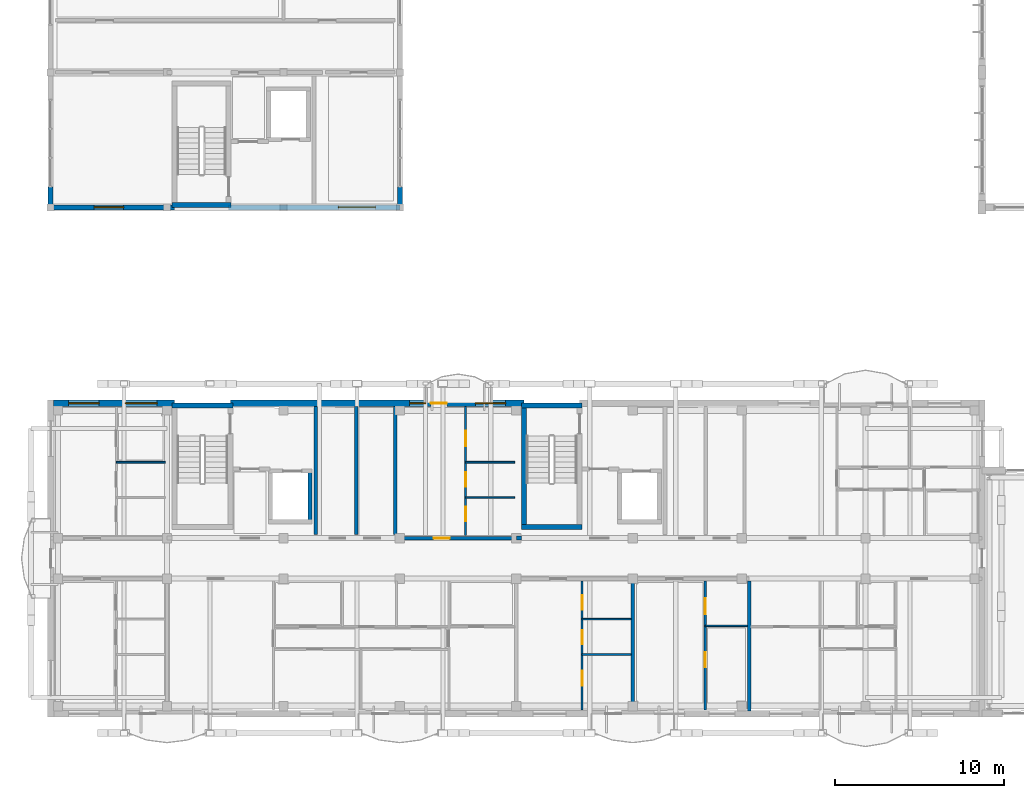
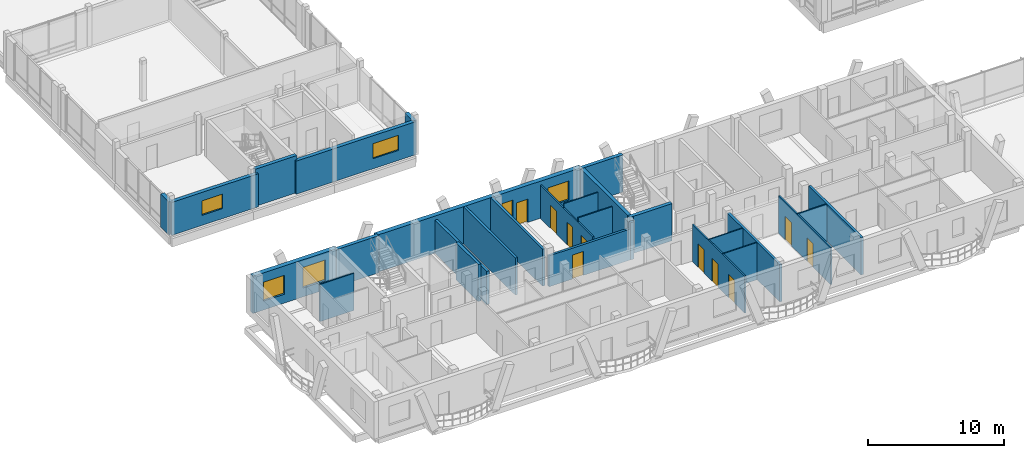
# One storey, part 143 of 189: 28 walls, 10 doors, 6 windows, 16 openings.
"""IFC4 building model written with IfcOpenShell, lengths in metres."""

from ifc_helpers import new_model, si_unit, direction, frame, frame_2d, origin, origin_with_axes, place, context, subcontext, project, spatial, rectangle, extrude, material, layer, layer_set, type_object, element, fill, save


model = new_model("IFC4")

# Units and contexts
model_context = context("Model", 3, precision=1e-05, world=origin(), true_north=direction((0.0, 1.0)))
body_context = subcontext(model_context, "Body", "Model", "MODEL_VIEW")
ifc_project = project(units=[si_unit("LENGTHUNIT", "METRE"), si_unit("AREAUNIT", "SQUARE_METRE"), si_unit("VOLUMEUNIT", "CUBIC_METRE"), si_unit("PLANEANGLEUNIT", "RADIAN"), si_unit("MASSUNIT", "GRAM", prefix="KILO")], contexts=[model_context])

# Site, building, storey
site_placement = place(None, origin())
site = spatial("IfcSite", under=ifc_project, at=site_placement, CompositionType="ELEMENT")
building_placement = place(site_placement, origin())
building = spatial("IfcBuilding", under=site, at=building_placement, Name="Zavelmont Quarter", CompositionType="ELEMENT")
storey_placement = place(building_placement, frame((0.0, 0.0, 4.39990234375)))
storey = spatial("IfcBuildingStorey", under=building, at=storey_placement, Name="L01", CompositionType="ELEMENT", Elevation=4.39990234375)

# Wall, openings, windows
ifc_material_1 = material(Name="Natural Belgian limestone", Category="masonry")
ifc_layer_1 = layer(ifc_material_1, 0.3798828125)
ifc_layer_set_1 = layer_set([ifc_layer_1], Name="Natural Belgian limestone")
wall_type_1 = type_object("IfcWallType", Name="EW01", PredefinedType="STANDARD", material=ifc_layer_set_1)
wall_1_placement = place(storey_placement, frame((0.179931640625, 18.39990234375, 0.0), z_axis=(0.0, 0.0, 1.0), x_axis=(1.0, 0.0, 0.0)))
wall_1 = element("IfcWall", 1, at=wall_1_placement, inside=storey, type_object=wall_type_1, Name="L01 exterior limestone wall EW01", PredefinedType="STANDARD", context=body_context, shape_type="SweptSolid", body=[
    extrude(rectangle(XDim=7.170166015625, YDim=0.3798828125, at=frame_2d((3.5849609375, 0.0))), origin(), (0.0, 0.0, 1.0), 3.330078125),
])
opening_1_placement = place(wall_1_placement, frame((0.889892578125, 0.0, 0.800048828125)))
opening_1 = element("IfcOpeningElement", 2, at=opening_1_placement, cuts=wall_1, Name="Opening WN02", PredefinedType="OPENING", context=body_context, shape_type="SweptSolid", body=[
    extrude(rectangle(XDim=1.800048828125, YDim=1.699951171875, at=frame_2d((0.89990234375, 0.85009765625))), frame((0.0, 0.201904296875, 0.0), z_axis=(0.0, -1.0, 0.0), x_axis=(1.0, 0.0, 0.0)), (0.0, 0.0, 1.0), 0.40380859375),
])
opening_2_placement = place(wall_1_placement, frame((4.239990234375, 0.0, 0.800048828125)))
opening_2 = element("IfcOpeningElement", 3, at=opening_2_placement, cuts=wall_1, Name="Opening WN20", PredefinedType="OPENING", context=body_context, shape_type="SweptSolid", body=[
    extrude(rectangle(XDim=1.89990234375, YDim=1.85009765625, at=frame_2d((0.949951171875, 0.925048828125))), frame((0.0, 0.201904296875, 0.0), z_axis=(0.0, -1.0, 0.0), x_axis=(1.0, 0.0, 0.0)), (0.0, 0.0, 1.0), 0.40380859375),
])
ifc_material_2 = material(Name="Double low-E insulated glazing in thermally broken aluminium frame", Category="aluminium")
window_type_1 = type_object("IfcWindowType", Name="WN02", PartitioningType="SINGLE_PANEL", PredefinedType="WINDOW", material=ifc_material_2)
window_1_placement = place(opening_1_placement, origin_with_axes())
window_1 = element("IfcWindow", 4, at=window_1_placement, inside=storey, type_object=window_type_1, Name="L01 window WN02", OverallHeight=1.699951171875, OverallWidth=1.800048828125, PartitioningType="SINGLE_PANEL", PredefinedType="WINDOW", context=body_context, shape_type="SweptSolid", body=[
    extrude(rectangle(XDim=1.800048828125, YDim=1.699951171875, at=frame_2d((0.89990234375, 0.85009765625))), frame((0.0, 0.030029296875, 0.0), z_axis=(0.0, -1.0, 0.0), x_axis=(1.0, 0.0, 0.0)), (0.0, 0.0, 1.0), 0.06005859375),
])
fill(opening_1, window_1)
window_type_2 = type_object("IfcWindowType", Name="WN20", PartitioningType="SINGLE_PANEL", PredefinedType="WINDOW", material=ifc_material_2)
window_2_placement = place(opening_2_placement, origin_with_axes())
window_2 = element("IfcWindow", 5, at=window_2_placement, inside=storey, type_object=window_type_2, Name="L01 window WN20", OverallHeight=1.85009765625, OverallWidth=1.89990234375, PartitioningType="SINGLE_PANEL", PredefinedType="WINDOW", context=body_context, shape_type="SweptSolid", body=[
    extrude(rectangle(XDim=1.89990234375, YDim=1.85009765625, at=frame_2d((0.949951171875, 0.925048828125))), frame((0.0, 0.030029296875, 0.0), z_axis=(0.0, -1.0, 0.0), x_axis=(1.0, 0.0, 0.0)), (0.0, 0.0, 1.0), 0.06005859375),
])
fill(opening_2, window_2)

# Wall, openings, door, windows
wall_2_placement = place(storey_placement, frame((10.64990234375, 18.39990234375, 0.0), z_axis=(0.0, 0.0, 1.0), x_axis=(1.0, 0.0, 0.0)))
wall_2 = element("IfcWall", 6, at=wall_2_placement, inside=storey, type_object=wall_type_1, Name="L01 exterior limestone wall EW01", PredefinedType="STANDARD", context=body_context, shape_type="SweptSolid", body=[
    extrude(rectangle(XDim=17.400146484375, YDim=0.3798828125, at=frame_2d((8.7001953125, 0.0))), origin(), (0.0, 0.0, 1.0), 3.330078125),
])
opening_3_placement = place(wall_2_placement, frame((11.883544921875, 0.0, 0.0)))
opening_3 = element("IfcOpeningElement", 7, at=opening_3_placement, cuts=wall_2, Name="Opening DR04", PredefinedType="OPENING", context=body_context, shape_type="SweptSolid", body=[
    extrude(rectangle(XDim=0.949951171875, YDim=2.10009765625, at=frame_2d((0.47509765625, 1.050048828125))), frame((0.0, 0.201904296875, 0.0), z_axis=(0.0, -1.0, 0.0), x_axis=(1.0, 0.0, 0.0)), (0.0, 0.0, 1.0), 0.40380859375),
])
opening_4_placement = place(wall_2_placement, frame((10.6201171875, 0.0, 0.89990234375)))
opening_4 = element("IfcOpeningElement", 8, at=opening_4_placement, cuts=wall_2, Name="Opening WN04", PredefinedType="OPENING", context=body_context, shape_type="SweptSolid", body=[
    extrude(rectangle(XDim=0.949951171875, YDim=1.550048828125, at=frame_2d((0.47509765625, 0.77490234375))), frame((0.0, 0.201904296875, 0.0), z_axis=(0.0, -1.0, 0.0), x_axis=(1.0, 0.0, 0.0)), (0.0, 0.0, 1.0), 0.40380859375),
])
opening_5_placement = place(wall_2_placement, frame((14.52001953125, 0.0, 0.800048828125)))
opening_5 = element("IfcOpeningElement", 9, at=opening_5_placement, cuts=wall_2, Name="Opening WN02", PredefinedType="OPENING", context=body_context, shape_type="SweptSolid", body=[
    extrude(rectangle(XDim=1.800048828125, YDim=1.699951171875, at=frame_2d((0.89990234375, 0.85009765625))), frame((0.0, 0.201904296875, 0.0), z_axis=(0.0, -1.0, 0.0), x_axis=(1.0, 0.0, 0.0)), (0.0, 0.0, 1.0), 0.40380859375),
])
ifc_material_3 = material(Name="Thermally broken aluminium and double safety glass", Category="aluminium")
door_type_1 = type_object("IfcDoorType", Name="DR04", OperationType="NOTDEFINED", PredefinedType="DOOR", material=ifc_material_3)
door_1_placement = place(opening_3_placement, frame((0.949951171875, 0.0, 0.0), z_axis=(0.0, 0.0, 1.0), x_axis=(-1.0, 0.0, 0.0)))
door_1 = element("IfcDoor", 10, at=door_1_placement, inside=storey, type_object=door_type_1, Name="Block A L01 glazed balcony door", OperationType="SINGLE_SWING_LEFT", OverallHeight=2.10009765625, OverallWidth=0.949951171875, PredefinedType="DOOR", context=body_context, shape_type="SweptSolid", body=[
    extrude(rectangle(XDim=0.949951171875, YDim=2.10009765625, at=frame_2d((0.47509765625, 1.050048828125))), frame((0.0, 0.02490234375, 0.0), z_axis=(0.0, -1.0, 0.0), x_axis=(1.0, 0.0, 0.0)), (0.0, 0.0, 1.0), 0.050048828125),
])
fill(opening_3, door_1)
window_3_placement = place(opening_5_placement, origin_with_axes())
window_3 = element("IfcWindow", 11, at=window_3_placement, inside=storey, type_object=window_type_1, Name="L01 window WN02", OverallHeight=1.699951171875, OverallWidth=1.800048828125, PartitioningType="SINGLE_PANEL", PredefinedType="WINDOW", context=body_context, shape_type="SweptSolid", body=[
    extrude(rectangle(XDim=1.800048828125, YDim=1.699951171875, at=frame_2d((0.89990234375, 0.85009765625))), frame((0.0, 0.030029296875, 0.0), z_axis=(0.0, -1.0, 0.0), x_axis=(1.0, 0.0, 0.0)), (0.0, 0.0, 1.0), 0.06005859375),
])
fill(opening_5, window_3)
window_type_3 = type_object("IfcWindowType", Name="WN04", PartitioningType="SINGLE_PANEL", PredefinedType="WINDOW", material=ifc_material_2)
window_4_placement = place(opening_4_placement, origin_with_axes())
window_4 = element("IfcWindow", 12, at=window_4_placement, inside=storey, type_object=window_type_3, Name="L01 window WN04", OverallHeight=1.550048828125, OverallWidth=0.949951171875, PartitioningType="SINGLE_PANEL", PredefinedType="WINDOW", context=body_context, shape_type="SweptSolid", body=[
    extrude(rectangle(XDim=0.949951171875, YDim=1.550048828125, at=frame_2d((0.47509765625, 0.77490234375))), frame((0.0, 0.030029296875, 0.0), z_axis=(0.0, -1.0, 0.0), x_axis=(1.0, 0.0, 0.0)), (0.0, 0.0, 1.0), 0.06005859375),
])
fill(opening_4, window_4)

# Walls
ifc_layer_2 = layer(ifc_material_1, 0.31005859375)
ifc_layer_set_2 = layer_set([ifc_layer_2], Name="Natural Belgian limestone")
wall_type_2 = type_object("IfcWallType", Name="EW06", PredefinedType="STANDARD", material=ifc_layer_set_2)
for number, where, z_axis, x_axis, name in (
    (13, (0.0, 30.0, 0.0), (0.0, 0.0, 1.0), (0.0, 1.0, 0.0), "L01 exterior limestone wall EW06"),
    (14, (20.699951171875, 30.0, 0.0), (0.0, 0.0, 1.0), (0.0, 1.0, 0.0), "L01 exterior limestone wall EW06"),
):
    element("IfcWall", number, at=place(storey_placement, frame(where, z_axis=z_axis, x_axis=x_axis)), inside=storey, type_object=wall_type_2, Name=name, PredefinedType="STANDARD", context=body_context, shape_type="SweptSolid", body=[
        extrude(rectangle(XDim=1.199951171875, YDim=0.31005859375, at=frame_2d((0.60009765625, 0.0))), origin(), (0.0, 0.0, 1.0), 2.960205078125),
    ])

# Wall, opening, window
wall_3_placement = place(storey_placement, frame((0.0, 30.0, 0.0), z_axis=(0.0, 0.0, 1.0), x_axis=(1.0, 0.0, 0.0)))
wall_3 = element("IfcWall", 15, at=wall_3_placement, inside=storey, type_object=wall_type_2, Name="L01 exterior limestone wall EW06", PredefinedType="STANDARD", context=body_context, shape_type="SweptSolid", body=[
    extrude(rectangle(XDim=7.35009765625, YDim=0.31005859375, at=frame_2d((3.675048828125, 0.0))), origin(), (0.0, 0.0, 1.0), 2.960205078125),
])
opening_6_placement = place(wall_3_placement, frame((2.574951171875, 0.0, 0.89990234375)))
opening_6 = element("IfcOpeningElement", 16, at=opening_6_placement, cuts=wall_3, Name="Opening WN16", PredefinedType="OPENING", context=body_context, shape_type="SweptSolid", body=[
    extrude(rectangle(XDim=1.75, YDim=1.300048828125, at=frame_2d((0.875, 0.64990234375))), frame((0.0, 0.1669921875, 0.0), z_axis=(0.0, -1.0, 0.0), x_axis=(1.0, 0.0, 0.0)), (0.0, 0.0, 1.0), 0.333984375),
])
window_type_4 = type_object("IfcWindowType", Name="WN16", PartitioningType="SINGLE_PANEL", PredefinedType="WINDOW", material=ifc_material_2)
window_5_placement = place(opening_6_placement, origin_with_axes())
window_5 = element("IfcWindow", 17, at=window_5_placement, inside=storey, type_object=window_type_4, Name="L01 window WN16", OverallHeight=1.300048828125, OverallWidth=1.75, PartitioningType="SINGLE_PANEL", PredefinedType="WINDOW", context=body_context, shape_type="SweptSolid", body=[
    extrude(rectangle(XDim=1.75, YDim=1.300048828125, at=frame_2d((0.875, 0.64990234375))), frame((0.0, 0.030029296875, 0.0), z_axis=(0.0, -1.0, 0.0), x_axis=(1.0, 0.0, 0.0)), (0.0, 0.0, 1.0), 0.06005859375),
])
fill(opening_6, window_5)

wall_4_placement = place(storey_placement, frame((10.550048828125, 30.0, 0.0), z_axis=(0.0, 0.0, 1.0), x_axis=(1.0, 0.0, 0.0)))
wall_4 = element("IfcWall", 18, at=wall_4_placement, inside=storey, type_object=wall_type_2, Name="L01 exterior limestone wall EW06", PredefinedType="STANDARD", context=body_context, shape_type="SweptSolid", body=[
    extrude(rectangle(XDim=10.14990234375, YDim=0.31005859375, at=frame_2d((5.074951171875, 0.0))), origin(), (0.0, 0.0, 1.0), 2.960205078125),
])
opening_7_placement = place(wall_4_placement, frame((6.5, 0.0, 0.89990234375)))
opening_7 = element("IfcOpeningElement", 19, at=opening_7_placement, cuts=wall_4, Name="Opening WN17", PredefinedType="OPENING", context=body_context, shape_type="SweptSolid", body=[
    extrude(rectangle(XDim=2.199951171875, YDim=1.35009765625, at=frame_2d((1.10009765625, 0.675048828125))), frame((0.0, 0.1669921875, 0.0), z_axis=(0.0, -1.0, 0.0), x_axis=(1.0, 0.0, 0.0)), (0.0, 0.0, 1.0), 0.333984375),
])
window_type_5 = type_object("IfcWindowType", Name="WN17", PartitioningType="SINGLE_PANEL", PredefinedType="WINDOW", material=ifc_material_2)
window_6_placement = place(opening_7_placement, origin_with_axes())
window_6 = element("IfcWindow", 20, at=window_6_placement, inside=storey, type_object=window_type_5, Name="L01 window WN17", OverallHeight=1.35009765625, OverallWidth=2.199951171875, PartitioningType="SINGLE_PANEL", PredefinedType="WINDOW", context=body_context, shape_type="SweptSolid", body=[
    extrude(rectangle(XDim=2.199951171875, YDim=1.35009765625, at=frame_2d((1.10009765625, 0.675048828125))), frame((0.0, 0.030029296875, 0.0), z_axis=(0.0, -1.0, 0.0), x_axis=(1.0, 0.0, 0.0)), (0.0, 0.0, 1.0), 0.06005859375),
])
fill(opening_7, window_6)

# Walls
ifc_material_4 = material(Name="Calcium-silicate blockwork and acoustic plaster", Category="masonry")
ifc_layer_3 = layer(ifc_material_4, 0.199951171875)
ifc_layer_set_3 = layer_set([ifc_layer_3], Name="Calcium-silicate blockwork and acoustic plaster")
wall_type_3 = type_object("IfcWallType", Name="IW01", PredefinedType="PARTITIONING", material=ifc_layer_set_3)
for number, where, z_axis, x_axis, name in (
    (21, (18.125, 10.60009765625, 0.0), (0.0, 0.0, 1.0), (0.0, 1.0, 0.0), "L01 Service riser divider wall IW01"),
    (22, (20.419921875, 10.60009765625, 0.0), (0.0, 0.0, 1.0), (0.0, 1.0, 0.0), "L01 Core service end wall IW01"),
):
    element("IfcWall", number, at=place(storey_placement, frame(where, z_axis=z_axis, x_axis=x_axis)), inside=storey, type_object=wall_type_3, Name=name, PredefinedType="PARTITIONING", context=body_context, shape_type="SweptSolid", body=[
        extrude(rectangle(XDim=7.599853515625, YDim=0.199951171875, at=frame_2d((3.7998046875, 0.0))), origin(), (0.0, 0.0, 1.0), 3.330078125),
    ])
for number, where, z_axis, x_axis, name in (
    (23, (34.5, 7.85009765625, 0.0), (0.0, 0.0, 1.0), (0.0, -1.0, 0.0), "L01 Inter-dwelling compartment wall IW01"),
    (24, (41.39990234375, 7.85009765625, 0.0), (0.0, 0.0, 1.0), (0.0, -1.0, 0.0), "L01 Inter-dwelling compartment wall IW01"),
):
    element("IfcWall", number, at=place(storey_placement, frame(where, z_axis=z_axis, x_axis=x_axis)), inside=storey, type_object=wall_type_3, Name=name, PredefinedType="PARTITIONING", context=body_context, shape_type="SweptSolid", body=[
        extrude(rectangle(XDim=7.7001953125, YDim=0.199951171875, at=frame_2d((3.85009765625, 0.0))), origin(), (0.0, 0.0, 1.0), 3.330078125),
    ])

# Wall, opening, door
wall_5_placement = place(storey_placement, frame((20.699951171875, 10.39990234375, 0.0), z_axis=(0.0, 0.0, 1.0), x_axis=(1.0, 0.0, 0.0)))
wall_5 = element("IfcWall", 25, at=wall_5_placement, inside=storey, type_object=wall_type_3, Name="L01 Corridor compartment wall IW01", PredefinedType="PARTITIONING", context=body_context, shape_type="SweptSolid", body=[
    extrude(rectangle(XDim=6.900146484375, YDim=0.199951171875, at=frame_2d((3.4501953125, 0.0))), origin(), (0.0, 0.0, 1.0), 2.77001953125),
])
opening_8_placement = place(wall_5_placement, frame((2.0, 0.0, 0.0)))
opening_8 = element("IfcOpeningElement", 26, at=opening_8_placement, cuts=wall_5, Name="Opening DR02", PredefinedType="OPENING", context=body_context, shape_type="SweptSolid", body=[
    extrude(rectangle(XDim=0.949951171875, YDim=2.14990234375, at=frame_2d((0.47509765625, 1.074951171875))), frame((0.0, 0.11181640625, 0.0), z_axis=(0.0, -1.0, 0.0), x_axis=(1.0, 0.0, 0.0)), (0.0, 0.0, 1.0), 0.223876953125),
])
ifc_material_5 = material(Name="Solid-core oak fire leaf in steel frame", Category="steel")
door_type_2 = type_object("IfcDoorType", Name="DR02", OperationType="NOTDEFINED", PredefinedType="DOOR", material=ifc_material_5)
door_2_placement = place(opening_8_placement, origin_with_axes())
door_2 = element("IfcDoor", 27, at=door_2_placement, inside=storey, type_object=door_type_2, Name="L01 door DR02", OperationType="SINGLE_SWING_RIGHT", OverallHeight=2.14990234375, OverallWidth=0.949951171875, PredefinedType="DOOR", context=body_context, shape_type="SweptSolid", body=[
    extrude(rectangle(XDim=0.949951171875, YDim=2.14990234375, at=frame_2d((0.47509765625, 1.074951171875))), frame((0.0, 0.02490234375, 0.0), z_axis=(0.0, -1.0, 0.0), x_axis=(1.0, 0.0, 0.0)), (0.0, 0.0, 1.0), 0.050048828125),
])
fill(opening_8, door_2)

# Walls
ifc_material_6 = material(Name="Reinforced masonry fire compartment wall", Category="masonry")
ifc_layer_4 = layer(ifc_material_6, 0.22509765625)
ifc_layer_set_4 = layer_set([ifc_layer_4], Name="Reinforced masonry fire compartment wall")
wall_type_4 = type_object("IfcWallType", Name="IW02", PredefinedType="PARTITIONING", material=ifc_layer_set_4)
wall_6_placement = place(storey_placement, frame((15.7099609375, 10.60009765625, 0.0), z_axis=(0.0, 0.0, 1.0), x_axis=(0.0, 1.0, 0.0)))
element("IfcWall", 28, at=wall_6_placement, inside=storey, type_object=wall_type_4, Name="L01 Firefighting lobby enclosure wall IW02", PredefinedType="PARTITIONING", context=body_context, shape_type="SweptSolid", body=[
    extrude(rectangle(XDim=7.599853515625, YDim=0.22509765625, at=frame_2d((3.7998046875, 0.0))), origin(), (0.0, 0.0, 1.0), 2.989990234375),
])
wall_7_placement = place(storey_placement, frame((27.60009765625, 10.39990234375, 0.0), z_axis=(0.0, 0.0, 1.0), x_axis=(1.0, 0.0, 0.0)))
element("IfcWall", 29, at=wall_7_placement, inside=storey, type_object=wall_type_4, Name="L01 Core corridor wall IW02", PredefinedType="PARTITIONING", context=body_context, shape_type="SweptSolid", body=[
    extrude(rectangle(XDim=0.2998046875, YDim=0.22509765625, at=frame_2d((0.14990234375, 0.0))), origin(), (0.0, 0.0, 1.0), 3.330078125),
])

# Wall, openings, doors
ifc_material_7 = material(Name="Double gypsum board on acoustic steel stud", Category="steel")
ifc_layer_5 = layer(ifc_material_7, 0.125)
ifc_layer_set_5 = layer_set([ifc_layer_5], Name="Double gypsum board on acoustic steel stud")
wall_type_5 = type_object("IfcWallType", Name="IW03", PredefinedType="PARTITIONING", material=ifc_layer_set_5)
wall_8_placement = place(storey_placement, frame((31.5, 7.85009765625, 0.0), z_axis=(0.0, 0.0, 1.0), x_axis=(0.0, -1.0, 0.0)))
wall_8 = element("IfcWall", 30, at=wall_8_placement, inside=storey, type_object=wall_type_5, Name="L01 Partition IW03", PredefinedType="PARTITIONING", context=body_context, shape_type="SweptSolid", body=[
    extrude(rectangle(XDim=7.650146484375, YDim=0.125, at=frame_2d((3.8251953125, 0.0))), origin(), (0.0, 0.0, 1.0), 3.330078125),
])
opening_9_placement = place(wall_8_placement, frame((0.85009765625, 0.0, 0.0)))
opening_9 = element("IfcOpeningElement", 31, at=opening_9_placement, cuts=wall_8, Name="Opening DR16", PredefinedType="OPENING", context=body_context, shape_type="SweptSolid", body=[
    extrude(rectangle(XDim=0.85009765625, YDim=2.10009765625, at=frame_2d((0.425048828125, 1.050048828125))), frame((0.0, 0.074462890625, 0.0), z_axis=(0.0, -1.0, 0.0), x_axis=(1.0, 0.0, 0.0)), (0.0, 0.0, 1.0), 0.14892578125),
])
opening_10_placement = place(wall_8_placement, frame((2.89990234375, 0.0, 0.0)))
opening_10 = element("IfcOpeningElement", 32, at=opening_10_placement, cuts=wall_8, Name="Opening DR06", PredefinedType="OPENING", context=body_context, shape_type="SweptSolid", body=[
    extrude(rectangle(XDim=0.85009765625, YDim=2.050048828125, at=frame_2d((0.425048828125, 1.02490234375))), frame((0.0, 0.074462890625, 0.0), z_axis=(0.0, -1.0, 0.0), x_axis=(1.0, 0.0, 0.0)), (0.0, 0.0, 1.0), 0.14892578125),
])
opening_11_placement = place(wall_8_placement, frame((5.300048828125, 0.0, 0.0)))
opening_11 = element("IfcOpeningElement", 33, at=opening_11_placement, cuts=wall_8, Name="Opening DR05", PredefinedType="OPENING", context=body_context, shape_type="SweptSolid", body=[
    extrude(rectangle(XDim=0.89990234375, YDim=2.10009765625, at=frame_2d((0.449951171875, 1.050048828125))), frame((0.0, 0.074462890625, 0.0), z_axis=(0.0, -1.0, 0.0), x_axis=(1.0, 0.0, 0.0)), (0.0, 0.0, 1.0), 0.14892578125),
])
ifc_material_8 = material(Name="Engineered oak flush interior door")
door_type_3 = type_object("IfcDoorType", Name="DR05", OperationType="NOTDEFINED", PredefinedType="DOOR", material=ifc_material_8)
door_3_placement = place(opening_11_placement, frame((0.89990234375, 0.0, 0.0), z_axis=(0.0, 0.0, 1.0), x_axis=(-1.0, 0.0, 0.0)))
door_3 = element("IfcDoor", 34, at=door_3_placement, inside=storey, type_object=door_type_3, Name="L01 door DR05", OperationType="SINGLE_SWING_RIGHT", OverallHeight=2.10009765625, OverallWidth=0.89990234375, PredefinedType="DOOR", context=body_context, shape_type="SweptSolid", body=[
    extrude(rectangle(XDim=0.89990234375, YDim=2.10009765625, at=frame_2d((0.449951171875, 1.050048828125))), frame((0.0, 0.02490234375, 0.0), z_axis=(0.0, -1.0, 0.0), x_axis=(1.0, 0.0, 0.0)), (0.0, 0.0, 1.0), 0.050048828125),
])
fill(opening_11, door_3)
ifc_material_9 = material(Name="Moisture-resistant painted wet-room door")
door_type_4 = type_object("IfcDoorType", Name="DR06", OperationType="NOTDEFINED", PredefinedType="DOOR", material=ifc_material_9)
door_4_placement = place(opening_10_placement, origin_with_axes())
door_4 = element("IfcDoor", 35, at=door_4_placement, inside=storey, type_object=door_type_4, Name="L01 door DR06", OperationType="SINGLE_SWING_LEFT", OverallHeight=2.050048828125, OverallWidth=0.85009765625, PredefinedType="DOOR", context=body_context, shape_type="SweptSolid", body=[
    extrude(rectangle(XDim=0.85009765625, YDim=2.050048828125, at=frame_2d((0.425048828125, 1.02490234375))), frame((0.0, 0.02490234375, 0.0), z_axis=(0.0, -1.0, 0.0), x_axis=(1.0, 0.0, 0.0)), (0.0, 0.0, 1.0), 0.050048828125),
])
fill(opening_10, door_4)
door_type_5 = type_object("IfcDoorType", Name="DR16", OperationType="NOTDEFINED", PredefinedType="DOOR", material=ifc_material_8)
door_5_placement = place(opening_9_placement, frame((0.85009765625, 0.0, 0.0), z_axis=(0.0, 0.0, 1.0), x_axis=(-1.0, 0.0, 0.0)))
door_5 = element("IfcDoor", 36, at=door_5_placement, inside=storey, type_object=door_type_5, Name="L01 door DR16", OperationType="SINGLE_SWING_RIGHT", OverallHeight=2.10009765625, OverallWidth=0.85009765625, PredefinedType="DOOR", context=body_context, shape_type="SweptSolid", body=[
    extrude(rectangle(XDim=0.85009765625, YDim=2.10009765625, at=frame_2d((0.425048828125, 1.050048828125))), frame((0.0, 0.02490234375, 0.0), z_axis=(0.0, -1.0, 0.0), x_axis=(1.0, 0.0, 0.0)), (0.0, 0.0, 1.0), 0.050048828125),
])
fill(opening_9, door_5)

wall_9_placement = place(storey_placement, frame((38.800048828125, 7.85009765625, 0.0), z_axis=(0.0, 0.0, 1.0), x_axis=(0.0, -1.0, 0.0)))
wall_9 = element("IfcWall", 37, at=wall_9_placement, inside=storey, type_object=wall_type_5, Name="L01 Partition IW03", PredefinedType="PARTITIONING", context=body_context, shape_type="SweptSolid", body=[
    extrude(rectangle(XDim=7.650146484375, YDim=0.125, at=frame_2d((3.8251953125, 0.0))), origin(), (0.0, 0.0, 1.0), 3.330078125),
])
opening_12_placement = place(wall_9_placement, frame((1.0, 0.0, 0.0)))
opening_12 = element("IfcOpeningElement", 38, at=opening_12_placement, cuts=wall_9, Name="Opening DR17", PredefinedType="OPENING", context=body_context, shape_type="SweptSolid", body=[
    extrude(rectangle(XDim=0.949951171875, YDim=2.10009765625, at=frame_2d((0.47509765625, 1.050048828125))), frame((0.0, 0.074462890625, 0.0), z_axis=(0.0, -1.0, 0.0), x_axis=(1.0, 0.0, 0.0)), (0.0, 0.0, 1.0), 0.14892578125),
])
opening_13_placement = place(wall_9_placement, frame((4.199951171875, 0.0, 0.0)))
opening_13 = element("IfcOpeningElement", 39, at=opening_13_placement, cuts=wall_9, Name="Opening DR05", PredefinedType="OPENING", context=body_context, shape_type="SweptSolid", body=[
    extrude(rectangle(XDim=0.89990234375, YDim=2.10009765625, at=frame_2d((0.449951171875, 1.050048828125))), frame((0.0, 0.074462890625, 0.0), z_axis=(0.0, -1.0, 0.0), x_axis=(1.0, 0.0, 0.0)), (0.0, 0.0, 1.0), 0.14892578125),
])
door_6_placement = place(opening_13_placement, origin_with_axes())
door_6 = element("IfcDoor", 40, at=door_6_placement, inside=storey, type_object=door_type_3, Name="L01 door DR05", OperationType="SINGLE_SWING_RIGHT", OverallHeight=2.10009765625, OverallWidth=0.89990234375, PredefinedType="DOOR", context=body_context, shape_type="SweptSolid", body=[
    extrude(rectangle(XDim=0.89990234375, YDim=2.10009765625, at=frame_2d((0.449951171875, 1.050048828125))), frame((0.0, 0.02490234375, 0.0), z_axis=(0.0, -1.0, 0.0), x_axis=(1.0, 0.0, 0.0)), (0.0, 0.0, 1.0), 0.050048828125),
])
fill(opening_13, door_6)
ifc_material_10 = material(Name="Accessible washroom flush door")
door_type_6 = type_object("IfcDoorType", Name="DR17", OperationType="NOTDEFINED", PredefinedType="DOOR", material=ifc_material_10)
door_7_placement = place(opening_12_placement, frame((0.949951171875, 0.0, 0.0), z_axis=(0.0, 0.0, 1.0), x_axis=(-1.0, 0.0, 0.0)))
door_7 = element("IfcDoor", 41, at=door_7_placement, inside=storey, type_object=door_type_6, Name="L01 door DR17", OperationType="SINGLE_SWING_LEFT", OverallHeight=2.10009765625, OverallWidth=0.949951171875, PredefinedType="DOOR", context=body_context, shape_type="SweptSolid", body=[
    extrude(rectangle(XDim=0.949951171875, YDim=2.10009765625, at=frame_2d((0.47509765625, 1.050048828125))), frame((0.0, 0.02490234375, 0.0), z_axis=(0.0, -1.0, 0.0), x_axis=(1.0, 0.0, 0.0)), (0.0, 0.0, 1.0), 0.050048828125),
])
fill(opening_12, door_7)

wall_10_placement = place(storey_placement, frame((24.60009765625, 10.550048828125, 0.0), z_axis=(0.0, 0.0, 1.0), x_axis=(0.0, 1.0, 0.0)))
wall_10 = element("IfcWall", 42, at=wall_10_placement, inside=storey, type_object=wall_type_5, Name="L01 Partition IW03", PredefinedType="PARTITIONING", context=body_context, shape_type="SweptSolid", body=[
    extrude(rectangle(XDim=7.64990234375, YDim=0.125, at=frame_2d((3.824951171875, 0.0))), origin(), (0.0, 0.0, 1.0), 2.989990234375),
])
opening_14_placement = place(wall_10_placement, frame((0.85009765625, 0.0, 0.0)))
opening_14 = element("IfcOpeningElement", 43, at=opening_14_placement, cuts=wall_10, Name="Opening DR16", PredefinedType="OPENING", context=body_context, shape_type="SweptSolid", body=[
    extrude(rectangle(XDim=0.85009765625, YDim=2.10009765625, at=frame_2d((0.425048828125, 1.050048828125))), frame((0.0, 0.074462890625, 0.0), z_axis=(0.0, -1.0, 0.0), x_axis=(1.0, 0.0, 0.0)), (0.0, 0.0, 1.0), 0.14892578125),
])
opening_15_placement = place(wall_10_placement, frame((2.89990234375, 0.0, 0.0)))
opening_15 = element("IfcOpeningElement", 44, at=opening_15_placement, cuts=wall_10, Name="Opening DR06", PredefinedType="OPENING", context=body_context, shape_type="SweptSolid", body=[
    extrude(rectangle(XDim=0.85009765625, YDim=2.050048828125, at=frame_2d((0.425048828125, 1.02490234375))), frame((0.0, 0.074462890625, 0.0), z_axis=(0.0, -1.0, 0.0), x_axis=(1.0, 0.0, 0.0)), (0.0, 0.0, 1.0), 0.14892578125),
])
opening_16_placement = place(wall_10_placement, frame((5.300048828125, 0.0, 0.0)))
opening_16 = element("IfcOpeningElement", 45, at=opening_16_placement, cuts=wall_10, Name="Opening DR05", PredefinedType="OPENING", context=body_context, shape_type="SweptSolid", body=[
    extrude(rectangle(XDim=0.89990234375, YDim=2.10009765625, at=frame_2d((0.449951171875, 1.050048828125))), frame((0.0, 0.074462890625, 0.0), z_axis=(0.0, -1.0, 0.0), x_axis=(1.0, 0.0, 0.0)), (0.0, 0.0, 1.0), 0.14892578125),
])
door_8_placement = place(opening_16_placement, frame((0.89990234375, 0.0, 0.0), z_axis=(0.0, 0.0, 1.0), x_axis=(-1.0, 0.0, 0.0)))
door_8 = element("IfcDoor", 46, at=door_8_placement, inside=storey, type_object=door_type_3, Name="L01 door DR05", OperationType="SINGLE_SWING_RIGHT", OverallHeight=2.10009765625, OverallWidth=0.89990234375, PredefinedType="DOOR", context=body_context, shape_type="SweptSolid", body=[
    extrude(rectangle(XDim=0.89990234375, YDim=2.10009765625, at=frame_2d((0.449951171875, 1.050048828125))), frame((0.0, 0.02490234375, 0.0), z_axis=(0.0, -1.0, 0.0), x_axis=(1.0, 0.0, 0.0)), (0.0, 0.0, 1.0), 0.050048828125),
])
fill(opening_16, door_8)
door_9_placement = place(opening_15_placement, origin_with_axes())
door_9 = element("IfcDoor", 47, at=door_9_placement, inside=storey, type_object=door_type_4, Name="L01 door DR06", OperationType="SINGLE_SWING_LEFT", OverallHeight=2.050048828125, OverallWidth=0.85009765625, PredefinedType="DOOR", context=body_context, shape_type="SweptSolid", body=[
    extrude(rectangle(XDim=0.85009765625, YDim=2.050048828125, at=frame_2d((0.425048828125, 1.02490234375))), frame((0.0, 0.02490234375, 0.0), z_axis=(0.0, -1.0, 0.0), x_axis=(1.0, 0.0, 0.0)), (0.0, 0.0, 1.0), 0.050048828125),
])
fill(opening_15, door_9)
door_10_placement = place(opening_14_placement, frame((0.85009765625, 0.0, 0.0), z_axis=(0.0, 0.0, 1.0), x_axis=(-1.0, 0.0, 0.0)))
door_10 = element("IfcDoor", 48, at=door_10_placement, inside=storey, type_object=door_type_5, Name="L01 door DR16", OperationType="SINGLE_SWING_RIGHT", OverallHeight=2.10009765625, OverallWidth=0.85009765625, PredefinedType="DOOR", context=body_context, shape_type="SweptSolid", body=[
    extrude(rectangle(XDim=0.85009765625, YDim=2.10009765625, at=frame_2d((0.425048828125, 1.050048828125))), frame((0.0, 0.02490234375, 0.0), z_axis=(0.0, -1.0, 0.0), x_axis=(1.0, 0.0, 0.0)), (0.0, 0.0, 1.0), 0.050048828125),
])
fill(opening_14, door_10)

# Walls
ifc_material_11 = material(Name="Moisture-resistant gypsum board on steel stud", Category="steel")
ifc_layer_6 = layer(ifc_material_11, 0.10009765625)
ifc_layer_set_6 = layer_set([ifc_layer_6], Name="Moisture-resistant gypsum board on steel stud")
wall_type_6 = type_object("IfcWallType", Name="IW04", PredefinedType="PARTITIONING", material=ifc_layer_set_6)
for number, where, z_axis, x_axis, name in (
    (49, (31.5, 5.60009765625, 0.0), (0.0, 0.0, 1.0), (1.0, 0.0, 0.0), "L01 Partition IW04"),
    (50, (31.5, 3.5, 0.0), (0.0, 0.0, 1.0), (1.0, 0.0, 0.0), "L01 Partition IW04"),
):
    element("IfcWall", number, at=place(storey_placement, frame(where, z_axis=z_axis, x_axis=x_axis)), inside=storey, type_object=wall_type_6, Name=name, PredefinedType="PARTITIONING", context=body_context, shape_type="SweptSolid", body=[
        extrude(rectangle(XDim=2.89990234375, YDim=0.10009765625, at=frame_2d((1.449951171875, 0.0))), origin(), (0.0, 0.0, 1.0), 3.330078125),
    ])
wall_11_placement = place(storey_placement, frame((38.800048828125, 5.199951171875, 0.0), z_axis=(0.0, 0.0, 1.0), x_axis=(1.0, 0.0, 0.0)))
element("IfcWall", 51, at=wall_11_placement, inside=storey, type_object=wall_type_6, Name="L01 Partition IW04", PredefinedType="PARTITIONING", context=body_context, shape_type="SweptSolid", body=[
    extrude(rectangle(XDim=2.5, YDim=0.10009765625, at=frame_2d((1.25, 0.0))), origin(), (0.0, 0.0, 1.0), 3.330078125),
])
wall_12_placement = place(storey_placement, frame((3.89990234375, 14.89990234375, 0.0), z_axis=(0.0, 0.0, 1.0), x_axis=(1.0, 0.0, 0.0)))
element("IfcWall", 52, at=wall_12_placement, inside=storey, type_object=wall_type_6, Name="L01 Partition IW04", PredefinedType="PARTITIONING", context=body_context, shape_type="SweptSolid", body=[
    extrude(rectangle(XDim=2.900146484375, YDim=0.10009765625, at=frame_2d((1.4501953125, 0.0))), origin(), (0.0, 0.0, 1.0), 3.330078125),
])
for number, where, z_axis, x_axis, name in (
    (53, (24.60009765625, 12.800048828125, 0.0), (0.0, 0.0, 1.0), (1.0, 0.0, 0.0), "L01 Partition IW04"),
    (54, (24.60009765625, 14.89990234375, 0.0), (0.0, 0.0, 1.0), (1.0, 0.0, 0.0), "L01 Partition IW04"),
):
    element("IfcWall", number, at=place(storey_placement, frame(where, z_axis=z_axis, x_axis=x_axis)), inside=storey, type_object=wall_type_6, Name=name, PredefinedType="PARTITIONING", context=body_context, shape_type="SweptSolid", body=[
        extrude(rectangle(XDim=2.89990234375, YDim=0.10009765625, at=frame_2d((1.449951171875, 0.0))), origin(), (0.0, 0.0, 1.0), 3.330078125),
    ])
ifc_material_12 = material(Name="Concrete C40/50", Category="concrete")
ifc_layer_7 = layer(ifc_material_12, 0.300048828125)
ifc_layer_set_7 = layer_set([ifc_layer_7], Name="Concrete C40/50")
wall_type_7 = type_object("IfcWallType", Name="SW01", PredefinedType="SHEAR", material=ifc_layer_set_7)
wall_13_placement = place(storey_placement, frame((27.89990234375, 11.050048828125, 0.0), z_axis=(0.0, 0.0, 1.0), x_axis=(1.0, 0.0, 0.0)))
element("IfcWall", 55, at=wall_13_placement, inside=storey, type_object=wall_type_7, Name="L01 ST02 corridor shear wall SW01", PredefinedType="SHEAR", context=body_context, shape_type="SweptSolid", body=[
    extrude(rectangle(XDim=3.60009765625, YDim=0.300048828125, at=frame_2d((1.800048828125, 0.0))), origin(), (0.0, 0.0, 1.0), 3.330078125),
])
wall_14_placement = place(storey_placement, frame((28.050048828125, 10.89990234375, 0.0), z_axis=(0.0, 0.0, 1.0), x_axis=(0.0, 1.0, 0.0)))
element("IfcWall", 56, at=wall_14_placement, inside=storey, type_object=wall_type_7, Name="L01 ST02 west shear wall SW01", PredefinedType="SHEAR", context=body_context, shape_type="SweptSolid", body=[
    extrude(rectangle(XDim=7.5, YDim=0.300048828125, at=frame_2d((3.75, 0.0))), origin(), (0.0, 0.0, 1.0), 3.330078125),
])
ifc_layer_8 = layer(ifc_material_12, 0.25)
ifc_layer_set_8 = layer_set([ifc_layer_8], Name="Concrete C40/50")
wall_type_8 = type_object("IfcWallType", Name="SW02", PredefinedType="SHEAR", material=ifc_layer_set_8)
wall_15_placement = place(storey_placement, frame((15.375, 11.25, 0.0), z_axis=(0.0, 0.0, 1.0), x_axis=(0.0, 1.0, 0.0)))
element("IfcWall", 57, at=wall_15_placement, inside=storey, type_object=wall_type_8, Name="L01 Lift FL01 east shaft wall SW02", PredefinedType="SHEAR", context=body_context, shape_type="SweptSolid", body=[
    extrude(rectangle(XDim=3.25, YDim=0.25, at=frame_2d((1.625, 0.0))), origin(), (0.0, 0.0, 1.0), 3.330078125),
])
ifc_layer_9 = layer(ifc_material_12, 0.300048828125)
ifc_layer_set_9 = layer_set([ifc_layer_9], Name="Concrete C40/50")
wall_type_9 = type_object("IfcWallType", Name="SW03", PredefinedType="SHEAR", material=ifc_layer_set_9)
for number, where, z_axis, x_axis, name in (
    (58, (7.199951171875, 18.25, 0.0), (0.0, 0.0, 1.0), (1.0, 0.0, 0.0), "L01 ST01 outer shear wall SW03"),
    (59, (27.89990234375, 18.25, 0.0), (0.0, 0.0, 1.0), (1.0, 0.0, 0.0), "L01 ST02 outer shear wall SW03"),
):
    element("IfcWall", number, at=place(storey_placement, frame(where, z_axis=z_axis, x_axis=x_axis)), inside=storey, type_object=wall_type_9, Name=name, PredefinedType="SHEAR", context=body_context, shape_type="SweptSolid", body=[
        extrude(rectangle(XDim=3.60009765625, YDim=0.300048828125, at=frame_2d((1.800048828125, 0.0))), origin(), (0.0, 0.0, 1.0), 3.330078125),
    ])
wall_16_placement = place(storey_placement, frame((7.199951171875, 30.14990234375, 0.0), z_axis=(0.0, 0.0, 1.0), x_axis=(1.0, 0.0, 0.0)))
element("IfcWall", 60, at=wall_16_placement, inside=storey, type_object=wall_type_9, Name="L01 ST13 outer shear wall SW03", PredefinedType="SHEAR", context=body_context, shape_type="SweptSolid", body=[
    extrude(rectangle(XDim=3.5, YDim=0.300048828125, at=frame_2d((1.75, 0.0))), origin(), (0.0, 0.0, 1.0), 3.330078125),
])

save(model, "model.ifc")
